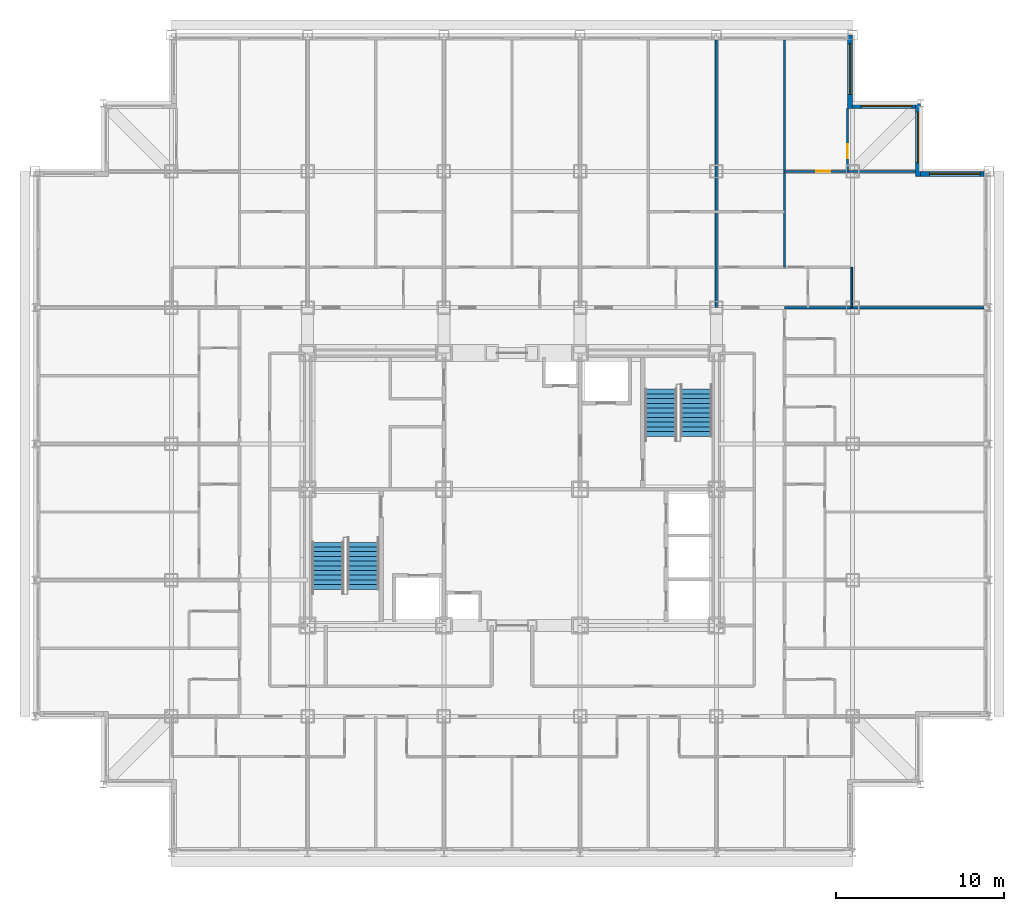
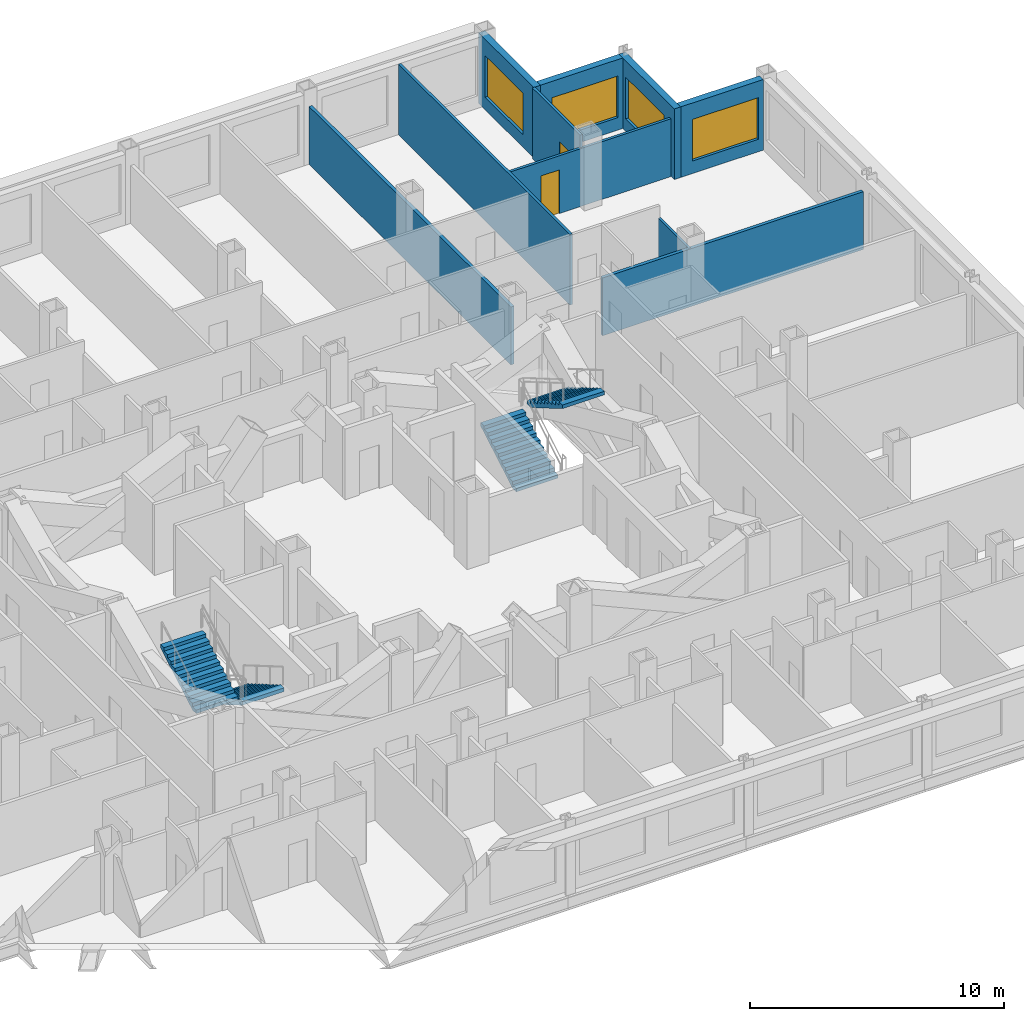
# One storey, part 11 of 12: 10 walls, 4 stair flights, 4 windows, 2 doors, 6 openings, 2 elements without a shape of their own.
"""IFC4 building model written with IfcOpenShell, lengths in metres."""

import ifcopenshell
import ifcopenshell.guid

model = None  # the IFC model being written
_history = None  # IfcOwnerHistory: only IFC2X3 demands one
_inside = {}  # id of a spatial element -> (the spatial element, [elements in it])
_under = {}  # id of a project, library or spatial element -> (it, [spatial elements below it])
_declared = {}  # id of a project -> (the project, [libraries it declares])
_typed = {}  # id of a type object -> (the type object, [elements of that type])
_made_of = {}  # id of a material, layer set ... -> (it, [elements and type objects made of it])


def new_model(schema):
    """Start an empty IFC model of exactly this schema.

    Asked for "IFC4X3", IfcOpenShell would pick the latest addendum, in which some entities
    have other attributes; the version numbers below select the first issue.
    IFC2X3 requires an IfcOwnerHistory on every rooted entity: one is made here for all.
    """
    global model, _history
    if schema == "IFC4X3":
        model = ifcopenshell.file(schema_version=(4, 3, 0, 0))
    else:
        model = ifcopenshell.file(schema=schema)
    _inside.clear()
    _under.clear()
    _declared.clear()
    _typed.clear()
    _made_of.clear()
    _history = None
    if model.schema == "IFC2X3":
        org = make("IfcOrganization", Name="unknown")
        user = make(
            "IfcPersonAndOrganization",
            ThePerson=make("IfcPerson", FamilyName="unknown"),
            TheOrganization=org,
        )
        app = make(
            "IfcApplication",
            ApplicationDeveloper=org,
            Version="unknown",
            ApplicationFullName="unknown",
            ApplicationIdentifier="unknown",
        )
        _history = make(
            "IfcOwnerHistory",
            OwningUser=user,
            OwningApplication=app,
            ChangeAction="ADDED",
            CreationDate=0,
        )
    return model


def make(cls, **values):
    """One entity of the class cls with the attributes given. An attribute that is None is left unset."""
    return model.create_entity(
        cls, **{name: value for name, value in values.items() if value is not None}
    )


def rooted(cls, **values):
    """An entity with a GlobalId (a new one), such as an element, a storey or a relation."""
    return make(cls, GlobalId=ifcopenshell.guid.new(), OwnerHistory=_history, **values)


def si_unit(unit_type, name, prefix=None):
    """IfcSIUnit, for example si_unit("LENGTHUNIT", "METRE", prefix="MILLI")."""
    return make("IfcSIUnit", UnitType=unit_type, Prefix=prefix, Name=name)


def assignment(units):
    """IfcUnitAssignment: the units of a project."""
    return None if units is None else make("IfcUnitAssignment", Units=units)


def point(xyz):
    """IfcCartesianPoint."""
    return None if xyz is None else make("IfcCartesianPoint", Coordinates=xyz)


def direction(xyz):
    """IfcDirection."""
    return None if xyz is None else make("IfcDirection", DirectionRatios=xyz)


def frame(location, z_axis=None, x_axis=None):
    """IfcAxis2Placement3D, a coordinate frame: its origin and axes. An axis left out is left unset."""
    return make(
        "IfcAxis2Placement3D",
        Location=point(location),
        Axis=direction(z_axis),
        RefDirection=direction(x_axis),
    )


def frame_2d(location, x_axis=None):
    """IfcAxis2Placement2D, a coordinate frame in the plane: its origin and x axis."""
    return make(
        "IfcAxis2Placement2D", Location=point(location), RefDirection=direction(x_axis)
    )


def origin():
    """The frame at (0, 0, 0) with its axes left unset."""
    return frame((0.0, 0.0, 0.0))


def place(relative_to, where):
    """IfcLocalPlacement: puts the frame where relative to a parent placement (None: the world)."""
    return make(
        "IfcLocalPlacement", PlacementRelTo=relative_to, RelativePlacement=where
    )


def context(
    kind, dimensions, precision=None, world=None, true_north=None, identifier=None
):
    """IfcGeometricRepresentationContext, for example the 3D "Model" context."""
    return make(
        "IfcGeometricRepresentationContext",
        ContextIdentifier=identifier,
        ContextType=kind,
        CoordinateSpaceDimension=dimensions,
        Precision=precision,
        WorldCoordinateSystem=world,
        TrueNorth=true_north,
    )


def subcontext(parent, identifier, kind, view, scale=None):
    """IfcGeometricRepresentationSubContext, for example "Body" below "Model"."""
    return make(
        "IfcGeometricRepresentationSubContext",
        ContextIdentifier=identifier,
        ContextType=kind,
        ParentContext=parent,
        TargetScale=scale,
        TargetView=view,
    )


def project(units=None, contexts=None):
    """IfcProject with its units and contexts."""
    return rooted(
        "IfcProject",
        Name="project",
        RepresentationContexts=contexts,
        UnitsInContext=assignment(units),
    )


def spatial(cls, under=None, at=None, **own):
    """A site, building, storey or space (cls), placed at a placement, below another one or the project."""
    s = rooted(cls, ObjectPlacement=at, **own)
    if under is not None:
        _under.setdefault(under.id(), (under, []))[1].append(s)
    return s


def point_list(points):
    """IfcCartesianPointList2D or 3D."""
    cls = (
        "IfcCartesianPointList2D" if len(points[0]) == 2 else "IfcCartesianPointList3D"
    )
    return make(cls, CoordList=points)


def profile(cls, at=None, kind="AREA", **sizes):
    """A parametric profile (cls). Its sizes go by their IFC names, for example OverallWidth=200.0."""
    return make(cls, ProfileType=kind, Position=at, **sizes)


def rectangle(**sizes):
    """IfcRectangleProfileDef."""
    return profile("IfcRectangleProfileDef", **sizes)


def extrude(swept, where, along, depth):
    """IfcExtrudedAreaSolid: the profile swept, set in the frame where, extruded along a direction by depth."""
    return make(
        "IfcExtrudedAreaSolid",
        SweptArea=swept,
        Position=where,
        ExtrudedDirection=direction(along),
        Depth=depth,
    )


def polygons(points, faces, closed=None, point_numbers=None):
    """IfcPolygonalFaceSet: a face is its outer loop, then its inner loops; points numbered from 1."""
    made = []
    for loops in faces:
        if len(loops) == 1:
            made.append(make("IfcIndexedPolygonalFace", CoordIndex=loops[0]))
        else:
            made.append(
                make(
                    "IfcIndexedPolygonalFaceWithVoids",
                    CoordIndex=loops[0],
                    InnerCoordIndices=loops[1:],
                )
            )
    return make(
        "IfcPolygonalFaceSet",
        Coordinates=point_list(points),
        Closed=closed,
        Faces=made,
        PnIndex=point_numbers,
    )


def shape(context_of_items, identifier, shape_type, items):
    """IfcShapeRepresentation: the items that make up one representation, for example the "Body"."""
    return make(
        "IfcShapeRepresentation",
        ContextOfItems=context_of_items,
        RepresentationIdentifier=identifier,
        RepresentationType=shape_type,
        Items=items,
    )


def source(mapping_origin, context_of_items, identifier, shape_type, items):
    """IfcRepresentationMap: a shape defined once, which mapped items show again and again."""
    return make(
        "IfcRepresentationMap",
        MappingOrigin=mapping_origin,
        MappedRepresentation=shape(context_of_items, identifier, shape_type, items),
    )


def transform(
    local_origin,
    x_axis=None,
    y_axis=None,
    z_axis=None,
    scale=None,
    scale2=None,
    scale3=None,
    uniform=True,
):
    """IfcCartesianTransformationOperator3D, or its non-uniform kind. x_axis, y_axis, z_axis: its Axis1, 2, 3."""
    if uniform:
        return make(
            "IfcCartesianTransformationOperator3D",
            Axis1=direction(x_axis),
            Axis2=direction(y_axis),
            LocalOrigin=point(local_origin),
            Scale=scale,
            Axis3=direction(z_axis),
        )
    return make(
        "IfcCartesianTransformationOperator3DnonUniform",
        Axis1=direction(x_axis),
        Axis2=direction(y_axis),
        LocalOrigin=point(local_origin),
        Scale=scale,
        Axis3=direction(z_axis),
        Scale2=scale2,
        Scale3=scale3,
    )


def mapped(mapping_source, mapping_target):
    """IfcMappedItem: shows the shape of a source again, moved by a transform."""
    return make(
        "IfcMappedItem", MappingSource=mapping_source, MappingTarget=mapping_target
    )


def material(Name=None, Category=None):
    """IfcMaterial."""
    return make("IfcMaterial", Name=Name, Category=Category)


def layer(
    of_material, thickness, ventilated=None, Name=None, Category=None, Priority=None
):
    """IfcMaterialLayer: one layer of a wall or slab, of a material (None: an air gap)."""
    return make(
        "IfcMaterialLayer",
        Material=of_material,
        LayerThickness=thickness,
        IsVentilated=ventilated,
        Name=Name,
        Category=Category,
        Priority=Priority,
    )


def layer_set(layers, Name=None):
    """IfcMaterialLayerSet."""
    return make("IfcMaterialLayerSet", MaterialLayers=layers, LayerSetName=Name)


def made_of(thing, what):
    """Note that an element or type object is made of a material, layer set ...; save() writes the relation."""
    if what is not None:
        _made_of.setdefault(what.id(), (what, []))[1].append(thing)
    return thing


def type_object(cls, material=None, **own):
    """A type object (cls), such as IfcWallType, which elements share."""
    return made_of(rooted(cls, **own), material)


def element(
    cls,
    number,
    at=None,
    inside=None,
    cuts=None,
    type_object=None,
    material=None,
    context=None,
    identifier="Body",
    shape_type=None,
    held_by="IfcProductDefinitionShape",
    body=None,
    shapes=None,
    **own,
):
    """One element of the class cls, such as IfcWall. Its Tag is "e" and its number.

    at: its placement. inside: the storey or other place that contains it. cuts: it is an
    opening in that element (IfcRelVoidsElement). A single representation is given by context,
    identifier, shape_type and body (its items); several are given by shapes. held_by: the class
    of the entity that holds the representations. save() writes the other relations.
    """
    e = rooted(cls, Tag="e%d" % number, ObjectPlacement=at, **own)
    if body is not None:
        shapes = [shape(context, identifier, shape_type, body)]
    if shapes is not None:
        e.Representation = make(held_by, Representations=shapes)
    if inside is not None:
        _inside.setdefault(inside.id(), (inside, []))[1].append(e)
    if cuts is not None:
        rooted(
            "IfcRelVoidsElement", RelatingBuildingElement=cuts, RelatedOpeningElement=e
        )
    if type_object is not None:
        _typed.setdefault(type_object.id(), (type_object, []))[1].append(e)
    return made_of(e, material)


def fill(opening, filler):
    """IfcRelFillsElement: the door or window that sits in an opening."""
    return rooted(
        "IfcRelFillsElement",
        RelatingOpeningElement=opening,
        RelatedBuildingElement=filler,
    )


def aggregate(whole, parts):
    """IfcRelAggregates: a whole, such as a stair, and the parts it consists of."""
    return rooted("IfcRelAggregates", RelatingObject=whole, RelatedObjects=parts)


def save(model, path):
    """Write the relations noted so far, then the file.

    IfcRelAggregates (storeys below a building ...), IfcRelContainedInSpatialStructure (elements
    in a storey), IfcRelDefinesByType, IfcRelAssociatesMaterial and IfcRelDeclares: one each for
    every whole, place, type object, material and project.
    """
    for whole, parts in _under.values():
        aggregate(whole, parts)
    for where, things in _inside.values():
        rooted(
            "IfcRelContainedInSpatialStructure",
            RelatedElements=things,
            RelatingStructure=where,
        )
    for kind, things in _typed.values():
        rooted("IfcRelDefinesByType", RelatedObjects=things, RelatingType=kind)
    for what, things in _made_of.values():
        rooted("IfcRelAssociatesMaterial", RelatedObjects=things, RelatingMaterial=what)
    for by, libraries in _declared.values():
        rooted("IfcRelDeclares", RelatingContext=by, RelatedDefinitions=libraries)
    model.write(path)


model = new_model("IFC4")

# Units and contexts
model_context = context("Model", 3, precision=1e-05, world=origin(), true_north=direction((0.0, 1.0)))
body_context = subcontext(model_context, "Body", "Model", "MODEL_VIEW")
ifc_project = project(units=[si_unit("LENGTHUNIT", "METRE"), si_unit("AREAUNIT", "SQUARE_METRE"), si_unit("VOLUMEUNIT", "CUBIC_METRE"), si_unit("PLANEANGLEUNIT", "RADIAN"), si_unit("MASSUNIT", "GRAM", prefix="KILO")], contexts=[model_context])

# Site, building, storey
site_placement = place(None, origin())
site = spatial("IfcSite", under=ifc_project, at=site_placement, CompositionType="ELEMENT")
building_placement = place(site_placement, origin())
building = spatial("IfcBuilding", under=site, at=building_placement, Name="Kopane Lantern Tower", CompositionType="ELEMENT")
storey_placement = place(building_placement, frame((0.0, 0.0, 177.60009765625)))
storey = spatial("IfcBuildingStorey", under=building, at=storey_placement, Name="L45", CompositionType="ELEMENT", Elevation=177.60009765625)

# Wall
ifc_material_1 = material(Name="Gypsum board on steel studs", Category="steel")
ifc_layer_1 = layer(ifc_material_1, 0.1201171875)
ifc_layer_set_1 = layer_set([ifc_layer_1], Name="APARTMENT INTERNAL WALL 120")
wall_type_1 = type_object("IfcWallType", Name="APARTMENT INTERNAL WALL 120", PredefinedType="PARTITIONING", material=ifc_layer_set_1)
wall_1_placement = place(storey_placement, frame((44.550048828125, 45.60009765625, 0.0), z_axis=(0.0, 0.0, 1.0), x_axis=(0.0, 1.0, 0.0)))
element("IfcWall", 1, at=wall_1_placement, inside=storey, type_object=wall_type_1, Name="Apartment Internal Wall 120 L45", PredefinedType="PARTITIONING", context=body_context, shape_type="SweptSolid", body=[
    extrude(rectangle(XDim=13.5, YDim=0.1201171875, at=frame_2d((6.75, 0.0))), origin(), (0.0, 0.0, 1.0), 3.389892578125),
])

# Wall, opening, door
wall_2_placement = place(storey_placement, frame((44.550048828125, 51.300048828125, 0.0), z_axis=(0.0, 0.0, 1.0), x_axis=(1.0, 0.0, 0.0)))
wall_2 = element("IfcWall", 2, at=wall_2_placement, inside=storey, type_object=wall_type_1, Name="Apartment Internal Wall 120 L45", PredefinedType="PARTITIONING", context=body_context, shape_type="SweptSolid", body=[
    extrude(rectangle(XDim=7.800048828125, YDim=0.1201171875, at=frame_2d((3.89990234375, 0.0))), origin(), (0.0, 0.0, 1.0), 2.777587890625),
])
opening_1_placement = place(wall_2_placement, frame((1.875, 0.0, 0.0)))
opening_1 = element("IfcOpeningElement", 3, at=opening_1_placement, cuts=wall_2, Name="Opening L45-066", PredefinedType="OPENING", context=body_context, shape_type="SweptSolid", body=[
    extrude(rectangle(XDim=0.85009765625, YDim=2.10009765625, at=frame_2d((0.425048828125, 1.050048828125))), frame((0.0, 0.070068359375, 0.0), z_axis=(0.0, -1.0, 0.0), x_axis=(1.0, 0.0, 0.0)), (0.0, 0.0, 1.0), 0.14013671875),
])
ifc_material_2 = material(Name="Timber door set", Category="wood")
door_type = type_object("IfcDoorType", Name="DOOR D4 850x2100", OperationType="SINGLE_SWING_LEFT", PredefinedType="DOOR", material=ifc_material_2)
door_1_placement = place(opening_1_placement, origin())
door_1 = element("IfcDoor", 4, at=door_1_placement, inside=storey, type_object=door_type, Name="Door L45-066", OperationType="SINGLE_SWING_RIGHT", OverallHeight=2.10009765625, OverallWidth=0.85009765625, PredefinedType="DOOR", context=body_context, shape_type="SweptSolid", body=[
    extrude(rectangle(XDim=0.85009765625, YDim=2.10009765625, at=frame_2d((0.425048828125, 1.050048828125))), frame((0.0, 0.02490234375, 0.0), z_axis=(0.0, -1.0, 0.0), x_axis=(1.0, 0.0, 0.0)), (0.0, 0.0, 1.0), 0.050048828125),
])
fill(opening_1, door_1)

wall_3_placement = place(storey_placement, frame((48.300048828125, 51.300048828125, 0.0), z_axis=(0.0, 0.0, 1.0), x_axis=(0.0, 1.0, 0.0)))
wall_3 = element("IfcWall", 5, at=wall_3_placement, inside=storey, type_object=wall_type_1, Name="Apartment Internal Wall 120 L45", PredefinedType="PARTITIONING", context=body_context, shape_type="SweptSolid", body=[
    extrude(rectangle(XDim=3.75, YDim=0.1201171875, at=frame_2d((1.875, 0.0))), origin(), (0.0, 0.0, 1.0), 3.389892578125),
])
opening_2_placement = place(wall_3_placement, frame((0.77490234375, 0.0, 0.0)))
opening_2 = element("IfcOpeningElement", 6, at=opening_2_placement, cuts=wall_3, Name="Opening L45-072", PredefinedType="OPENING", context=body_context, shape_type="SweptSolid", body=[
    extrude(rectangle(XDim=0.85009765625, YDim=2.10009765625, at=frame_2d((0.425048828125, 1.050048828125))), frame((0.0, 0.070068359375, 0.0), z_axis=(0.0, -1.0, 0.0), x_axis=(1.0, 0.0, 0.0)), (0.0, 0.0, 1.0), 0.14013671875),
])
door_2_placement = place(opening_2_placement, origin())
door_2 = element("IfcDoor", 7, at=door_2_placement, inside=storey, type_object=door_type, Name="Door L45-072", OperationType="SINGLE_SWING_RIGHT", OverallHeight=2.10009765625, OverallWidth=0.85009765625, PredefinedType="DOOR", context=body_context, shape_type="SweptSolid", body=[
    extrude(rectangle(XDim=0.85009765625, YDim=2.10009765625, at=frame_2d((0.425048828125, 1.050048828125))), frame((0.0, 0.02490234375, 0.0), z_axis=(0.0, -1.0, 0.0), x_axis=(1.0, 0.0, 0.0)), (0.0, 0.0, 1.0), 0.050048828125),
])
fill(opening_2, door_2)

# Walls
ifc_material_3 = material(Name="Moisture-resistant board on steel studs", Category="steel")
ifc_layer_2 = layer(ifc_material_3, 0.10009765625)
ifc_layer_set_2 = layer_set([ifc_layer_2], Name="BATHROOM WALL 100")
wall_type_2 = type_object("IfcWallType", Name="BATHROOM WALL 100", PredefinedType="PARTITIONING", material=ifc_layer_set_2)
wall_4_placement = place(storey_placement, frame((48.550048828125, 43.199951171875, 0.0), z_axis=(0.0, 0.0, 1.0), x_axis=(0.0, 1.0, 0.0)))
element("IfcWall", 8, at=wall_4_placement, inside=storey, type_object=wall_type_2, Name="Bathroom Wall 100 L45", PredefinedType="PARTITIONING", context=body_context, shape_type="SweptSolid", body=[
    extrude(rectangle(XDim=2.400146484375, YDim=0.10009765625, at=frame_2d((1.2001953125, 0.0))), origin(), (0.0, 0.0, 1.0), 2.777587890625),
])
ifc_material_4 = material(Name="Gypsum board on steel studs", Category="steel")
ifc_layer_3 = layer(ifc_material_4, 0.14990234375)
ifc_layer_set_3 = layer_set([ifc_layer_3], Name="DEMISING WALL 150 EI 60")
wall_type_3 = type_object("IfcWallType", Name="DEMISING WALL 150 EI 60", PredefinedType="PARTITIONING", material=ifc_layer_set_3)
wall_5_placement = place(storey_placement, frame((44.550048828125, 43.199951171875, 0.0), z_axis=(0.0, 0.0, 1.0), x_axis=(1.0, 0.0, 0.0)))
element("IfcWall", 9, at=wall_5_placement, inside=storey, type_object=wall_type_3, Name="Demising Wall 150 Ei 60 L45", PredefinedType="PARTITIONING", context=body_context, shape_type="SweptSolid", body=[
    extrude(rectangle(XDim=11.849853515625, YDim=0.14990234375, at=frame_2d((5.9248046875, 0.0))), origin(), (0.0, 0.0, 1.0), 2.777587890625),
])
wall_6_placement = place(storey_placement, frame((40.5, 43.199951171875, 0.0), z_axis=(0.0, 0.0, 1.0), x_axis=(0.0, 1.0, 0.0)))
element("IfcWall", 10, at=wall_6_placement, inside=storey, type_object=wall_type_3, Name="Demising Wall 150 Ei 60 L45", PredefinedType="PARTITIONING", context=body_context, shape_type="SweptSolid", body=[
    extrude(rectangle(XDim=15.900146484375, YDim=0.14990234375, at=frame_2d((7.9501953125, 0.0))), origin(), (0.0, 0.0, 1.0), 2.777587890625),
])

# Wall, opening, window
ifc_material_5 = material(Name="Terracotta rainscreen on light steel framing", Category="masonry")
ifc_layer_4 = layer(ifc_material_5, 0.300048828125)
ifc_layer_set_4 = layer_set([ifc_layer_4], Name="EXTERNAL WALL EW1 300 TERRACOTTA")
wall_type_4 = type_object("IfcWallType", Name="EXTERNAL WALL EW1 300 TERRACOTTA", PredefinedType="SOLIDWALL", material=ifc_layer_set_4)
wall_7_placement = place(storey_placement, frame((56.39990234375, 51.14990234375, 0.0), z_axis=(0.0, 0.0, 1.0), x_axis=(-1.0, 0.0, 0.0)))
wall_7 = element("IfcWall", 11, at=wall_7_placement, inside=storey, type_object=wall_type_4, Name="External wall N L45", PredefinedType="SOLIDWALL", context=body_context, shape_type="SweptSolid", body=[
    extrude(rectangle(XDim=3.75, YDim=0.300048828125, at=frame_2d((1.875, 0.0))), origin(), (0.0, 0.0, 1.0), 3.389892578125),
])
opening_3_placement = place(wall_7_placement, frame((0.22509765625, 0.0, 0.60009765625)))
opening_3 = element("IfcOpeningElement", 12, at=opening_3_placement, cuts=wall_7, Name="Opening WR300200", PredefinedType="OPENING", context=body_context, shape_type="SweptSolid", body=[
    extrude(rectangle(XDim=3.0, YDim=2.0, at=frame_2d((1.5, 1.0))), frame((0.0, 0.159912109375, 0.0), z_axis=(0.0, -1.0, 0.0), x_axis=(1.0, 0.0, 0.0)), (0.0, 0.0, 1.0), 0.320068359375),
])
ifc_material_6 = material(Name="Aluminium and clear glass", Category="aluminium")
window_type = type_object("IfcWindowType", Name="RIBBON WINDOW WR300200 3000x2000", PartitioningType="SINGLE_PANEL", PredefinedType="WINDOW", material=ifc_material_6)
window_1_placement = place(opening_3_placement, origin())
window_1 = element("IfcWindow", 13, at=window_1_placement, inside=storey, type_object=window_type, Name="Window N L45", OverallHeight=2.0, OverallWidth=3.0, PartitioningType="SINGLE_PANEL", PredefinedType="WINDOW", context=body_context, shape_type="SweptSolid", body=[
    extrude(rectangle(XDim=3.0, YDim=2.0, at=frame_2d((1.5, 1.0))), frame((0.0, 0.030029296875, 0.0), z_axis=(0.0, -1.0, 0.0), x_axis=(1.0, 0.0, 0.0)), (0.0, 0.0, 1.0), 0.06005859375),
])
fill(opening_3, window_1)

wall_8_placement = place(storey_placement, frame((52.5, 51.0, 0.0), z_axis=(0.0, 0.0, 1.0), x_axis=(0.0, 1.0, 0.0)))
wall_8 = element("IfcWall", 14, at=wall_8_placement, inside=storey, type_object=wall_type_4, Name="External wall E L45", PredefinedType="SOLIDWALL", context=body_context, shape_type="SweptSolid", body=[
    extrude(rectangle(XDim=4.35009765625, YDim=0.300048828125, at=frame_2d((2.175048828125, 0.0))), origin(), (0.0, 0.0, 1.0), 3.389892578125),
])
opening_4_placement = place(wall_8_placement, frame((0.824951171875, 0.0, 0.60009765625)))
opening_4 = element("IfcOpeningElement", 15, at=opening_4_placement, cuts=wall_8, Name="Opening WR300200", PredefinedType="OPENING", context=body_context, shape_type="SweptSolid", body=[
    extrude(rectangle(XDim=3.0, YDim=2.0, at=frame_2d((1.5, 1.0))), frame((0.0, 0.159912109375, 0.0), z_axis=(0.0, -1.0, 0.0), x_axis=(1.0, 0.0, 0.0)), (0.0, 0.0, 1.0), 0.320068359375),
])
window_2_placement = place(opening_4_placement, origin())
window_2 = element("IfcWindow", 16, at=window_2_placement, inside=storey, type_object=window_type, Name="Window E L45", OverallHeight=2.0, OverallWidth=3.0, PartitioningType="SINGLE_PANEL", PredefinedType="WINDOW", context=body_context, shape_type="SweptSolid", body=[
    extrude(rectangle(XDim=3.0, YDim=2.0, at=frame_2d((1.5, 1.0))), frame((0.0, 0.030029296875, 0.0), z_axis=(0.0, -1.0, 0.0), x_axis=(1.0, 0.0, 0.0)), (0.0, 0.0, 1.0), 0.06005859375),
])
fill(opening_4, window_2)

wall_9_placement = place(storey_placement, frame((52.35009765625, 55.199951171875, 0.0), z_axis=(0.0, 0.0, 1.0), x_axis=(-1.0, 0.0, 0.0)))
wall_9 = element("IfcWall", 17, at=wall_9_placement, inside=storey, type_object=wall_type_4, Name="External wall N L45", PredefinedType="SOLIDWALL", context=body_context, shape_type="SweptSolid", body=[
    extrude(rectangle(XDim=3.75, YDim=0.300048828125, at=frame_2d((1.875, 0.0))), origin(), (0.0, 0.0, 1.0), 3.389892578125),
])
opening_5_placement = place(wall_9_placement, frame((0.22509765625, 0.0, 0.60009765625)))
opening_5 = element("IfcOpeningElement", 18, at=opening_5_placement, cuts=wall_9, Name="Opening WR300200", PredefinedType="OPENING", context=body_context, shape_type="SweptSolid", body=[
    extrude(rectangle(XDim=3.0, YDim=2.0, at=frame_2d((1.5, 1.0))), frame((0.0, 0.159912109375, 0.0), z_axis=(0.0, -1.0, 0.0), x_axis=(1.0, 0.0, 0.0)), (0.0, 0.0, 1.0), 0.320068359375),
])
window_3_placement = place(opening_5_placement, origin())
window_3 = element("IfcWindow", 19, at=window_3_placement, inside=storey, type_object=window_type, Name="Window N L45", OverallHeight=2.0, OverallWidth=3.0, PartitioningType="SINGLE_PANEL", PredefinedType="WINDOW", context=body_context, shape_type="SweptSolid", body=[
    extrude(rectangle(XDim=3.0, YDim=2.0, at=frame_2d((1.5, 1.0))), frame((0.0, 0.030029296875, 0.0), z_axis=(0.0, -1.0, 0.0), x_axis=(1.0, 0.0, 0.0)), (0.0, 0.0, 1.0), 0.06005859375),
])
fill(opening_5, window_3)

wall_10_placement = place(storey_placement, frame((48.449951171875, 55.050048828125, 0.0), z_axis=(0.0, 0.0, 1.0), x_axis=(0.0, 1.0, 0.0)))
wall_10 = element("IfcWall", 20, at=wall_10_placement, inside=storey, type_object=wall_type_4, Name="External wall E L45", PredefinedType="SOLIDWALL", context=body_context, shape_type="SweptSolid", body=[
    extrude(rectangle(XDim=4.349853515625, YDim=0.300048828125, at=frame_2d((2.1748046875, 0.0))), origin(), (0.0, 0.0, 1.0), 3.389892578125),
])
opening_6_placement = place(wall_10_placement, frame((0.824951171875, 0.0, 0.60009765625)))
opening_6 = element("IfcOpeningElement", 21, at=opening_6_placement, cuts=wall_10, Name="Opening WR300200", PredefinedType="OPENING", context=body_context, shape_type="SweptSolid", body=[
    extrude(rectangle(XDim=3.0, YDim=2.0, at=frame_2d((1.5, 1.0))), frame((0.0, 0.159912109375, 0.0), z_axis=(0.0, -1.0, 0.0), x_axis=(1.0, 0.0, 0.0)), (0.0, 0.0, 1.0), 0.320068359375),
])
window_4_placement = place(opening_6_placement, origin())
window_4 = element("IfcWindow", 22, at=window_4_placement, inside=storey, type_object=window_type, Name="Window E L45", OverallHeight=2.0, OverallWidth=3.0, PartitioningType="SINGLE_PANEL", PredefinedType="WINDOW", context=body_context, shape_type="SweptSolid", body=[
    extrude(rectangle(XDim=3.0, YDim=2.0, at=frame_2d((1.5, 1.0))), frame((0.0, 0.030029296875, 0.0), z_axis=(0.0, -1.0, 0.0), x_axis=(1.0, 0.0, 0.0)), (0.0, 0.0, 1.0), 0.06005859375),
])
fill(opening_6, window_4)

# Stair, stair flights
ifc_material_7 = material(Name="Steel S355JR", Category="steel")
stair_type = type_object("IfcStairType", Name="EXIT STAIR 1900 HALF TURN", PredefinedType="HALF_TURN_STAIR", material=ifc_material_7)
stair_1_placement = place(storey_placement, origin())
stair_1 = element("IfcStair", 23, at=stair_1_placement, inside=storey, type_object=stair_type, Name="Exit stair ST1 L45", PredefinedType="HALF_TURN_STAIR")
ifc_material_8 = material(Name="Steel S355JR", Category="steel")
stair_flight_type = type_object("IfcStairFlightType", Name="STAIR FLIGHT 1900 STEEL", PredefinedType="STRAIGHT", material=ifc_material_8)
shared_shape = source(origin(), body_context, "Body", "Tessellation", [
    polygons([(2.800048828, 0.949951172, 1.636474609), (2.520019531, 0.949951172, 1.636474609), (2.520019531, -0.949951172, 1.636474609), (2.800048828, -0.949951172, 1.636474609), (0.297119141, 0.949951172, 0.0), (2.800048828, 0.949951172, 1.462646484), (2.800048828, -0.949951172, 1.462646484), (0.297119141, -0.949951172, 0.0), (0.0, 0.949951172, 0.0), (0.0, -0.949951172, 0.0), (0.280029297, 0.949951172, 0.163574219), (0.0, 0.949951172, 0.163574219), (0.0, -0.949951172, 0.163574219), (0.280029297, -0.949951172, 0.163574219), (0.280029297, 0.949951172, 0.327392578), (0.280029297, -0.949951172, 0.327392578), (0.560058594, 0.949951172, 0.327392578), (0.560058594, -0.949951172, 0.327392578), (0.560058594, 0.949951172, 0.490966797), (0.560058594, -0.949951172, 0.490966797), (0.840087891, 0.949951172, 0.490966797), (0.840087891, -0.949951172, 0.490966797), (0.840087891, 0.949951172, 0.654541016), (0.840087891, -0.949951172, 0.654541016), (1.120117188, 0.949951172, 0.654541016), (1.120117188, -0.949951172, 0.654541016), (1.120117188, 0.949951172, 0.818115234), (1.120117188, -0.949951172, 0.818115234), (1.399902344, 0.949951172, 0.818115234), (1.399902344, -0.949951172, 0.818115234), (1.399902344, 0.949951172, 0.981933594), (1.399902344, -0.949951172, 0.981933594), (1.679931641, 0.949951172, 0.981933594), (1.679931641, -0.949951172, 0.981933594), (1.679931641, 0.949951172, 1.145507812), (1.679931641, -0.949951172, 1.145507812), (1.959960938, 0.949951172, 1.145507812), (1.959960938, -0.949951172, 1.145507812), (1.959960938, 0.949951172, 1.309082031), (1.959960938, -0.949951172, 1.309082031), (2.239990234, 0.949951172, 1.309082031), (2.239990234, -0.949951172, 1.309082031), (2.239990234, 0.949951172, 1.47265625), (2.239990234, -0.949951172, 1.47265625), (2.520019531, 0.949951172, 1.47265625), (2.520019531, -0.949951172, 1.47265625), (0.0, 0.0, 0.004420925), (0.0, 0.0, 0.00884185), (0.0, 0.0, 0.013262774), (0.0, 0.0, 0.017683699), (0.0, 0.0, 0.022104624), (0.0, 0.0, 0.026525549), (0.0, 0.0, 0.030946474), (0.0, 0.0, 0.035367399), (0.0, 0.0, 0.039788323), (0.0, 0.0, 0.044209248), (0.0, 0.0, 0.048630173), (0.0, 0.0, 0.053051098), (0.0, 0.0, 0.057472023), (0.0, 0.0, 0.061892948), (0.0, 0.0, 0.066313872), (0.0, 0.0, 0.070734797), (0.0, 0.0, 0.075155722), (0.0, 0.0, 0.079576647), (0.0, 0.0, 0.083997572), (0.0, 0.0, 0.088418497), (0.0, 0.0, 0.092839421), (0.0, 0.0, 0.097260346), (0.0, 0.0, 0.101681271), (0.0, 0.0, 0.106102196), (0.0, 0.0, 0.110523121), (0.0, 0.0, 0.114944046), (0.0, 0.0, 0.11936497), (0.0, 0.0, 0.123785895), (0.0, 0.0, 0.12820682), (0.0, 0.0, 0.132627745), (0.0, 0.0, 0.13704867), (0.0, 0.0, 0.141469595), (0.0, 0.0, 0.145890519), (0.0, 0.0, 0.150311444), (0.0, 0.0, 0.154732369), (0.0, 0.0, 0.159153294), (2.800048828, 0.0, 1.467344542), (2.800048828, 0.0, 1.472042599), (2.800048828, 0.0, 1.476740657), (2.800048828, 0.0, 1.481438714), (2.800048828, 0.0, 1.486136772), (2.800048828, 0.0, 1.490834829), (2.800048828, 0.0, 1.495532886), (2.800048828, 0.0, 1.500230944), (2.800048828, 0.0, 1.504929001), (2.800048828, 0.0, 1.509627059), (2.800048828, 0.0, 1.514325116), (2.800048828, 0.0, 1.519023174), (2.800048828, 0.0, 1.523721231), (2.800048828, 0.0, 1.528419288), (2.800048828, 0.0, 1.533117346), (2.800048828, 0.0, 1.537815403), (2.800048828, 0.0, 1.542513461), (2.800048828, 0.0, 1.547211518), (2.800048828, 0.0, 1.551909576), (2.800048828, 0.0, 1.556607633), (2.800048828, 0.0, 1.56130569), (2.800048828, 0.0, 1.566003748), (2.800048828, 0.0, 1.570701805), (2.800048828, 0.0, 1.575399863), (2.800048828, 0.0, 1.58009792), (2.800048828, 0.0, 1.584795978), (2.800048828, 0.0, 1.589494035), (2.800048828, 0.0, 1.594192092), (2.800048828, 0.0, 1.59889015), (2.800048828, 0.0, 1.603588207), (2.800048828, 0.0, 1.608286265), (2.800048828, 0.0, 1.612984322), (2.800048828, 0.0, 1.61768238), (2.800048828, 0.0, 1.622380437), (2.800048828, 0.0, 1.627078495), (2.800048828, 0.0, 1.631776552)], [[[1, 2, 3]], [[1, 3, 4]], [[5, 6, 7]], [[5, 7, 8]], [[9, 5, 8]], [[9, 8, 10]], [[11, 12, 13]], [[11, 13, 14]], [[15, 11, 14]], [[15, 14, 16]], [[17, 15, 16]], [[17, 16, 18]], [[19, 17, 18]], [[19, 18, 20]], [[21, 19, 20]], [[21, 20, 22]], [[23, 21, 22]], [[23, 22, 24]], [[25, 23, 24]], [[25, 24, 26]], [[27, 25, 26]], [[27, 26, 28]], [[29, 27, 28]], [[29, 28, 30]], [[31, 29, 30]], [[31, 30, 32]], [[33, 31, 32]], [[33, 32, 34]], [[35, 33, 34]], [[35, 34, 36]], [[37, 35, 36]], [[37, 36, 38]], [[39, 37, 38]], [[39, 38, 40]], [[41, 39, 40]], [[41, 40, 42]], [[43, 41, 42]], [[43, 42, 44]], [[45, 43, 44]], [[45, 44, 46]], [[2, 45, 46]], [[2, 46, 3]], [[45, 1, 6]], [[41, 45, 6]], [[2, 1, 45]], [[37, 41, 6]], [[43, 45, 41]], [[39, 41, 37]], [[35, 37, 33]], [[31, 33, 29]], [[27, 29, 25]], [[5, 21, 25]], [[17, 21, 5]], [[23, 25, 21]], [[11, 17, 5]], [[19, 21, 17]], [[9, 11, 5]], [[15, 17, 11]], [[12, 11, 9]], [[6, 5, 25]], [[6, 25, 29]], [[6, 29, 33]], [[6, 33, 37]], [[7, 4, 46]], [[7, 46, 42]], [[46, 4, 3]], [[7, 42, 38]], [[42, 46, 44]], [[38, 42, 40]], [[34, 38, 36]], [[30, 34, 32]], [[26, 30, 28]], [[26, 22, 8]], [[8, 22, 18]], [[22, 26, 24]], [[8, 18, 14]], [[18, 22, 20]], [[8, 14, 10]], [[14, 18, 16]], [[10, 14, 13]], [[26, 8, 7]], [[30, 26, 7]], [[34, 30, 7]], [[38, 34, 7]], [[10, 47, 9]], [[10, 48, 47]], [[9, 47, 48]], [[10, 49, 48]], [[9, 48, 49]], [[10, 50, 49]], [[9, 49, 50]], [[10, 51, 50]], [[9, 50, 51]], [[10, 52, 51]], [[9, 51, 52]], [[10, 53, 52]], [[9, 52, 53]], [[10, 54, 53]], [[9, 53, 54]], [[10, 55, 54]], [[9, 54, 55]], [[10, 56, 55]], [[9, 55, 56]], [[10, 57, 56]], [[9, 56, 57]], [[10, 58, 57]], [[9, 57, 58]], [[10, 59, 58]], [[9, 58, 59]], [[10, 60, 59]], [[9, 59, 60]], [[10, 61, 60]], [[9, 60, 61]], [[10, 62, 61]], [[9, 61, 62]], [[10, 63, 62]], [[9, 62, 63]], [[10, 64, 63]], [[9, 63, 64]], [[10, 65, 64]], [[9, 64, 65]], [[10, 66, 65]], [[9, 65, 66]], [[10, 67, 66]], [[9, 66, 67]], [[10, 68, 67]], [[9, 67, 68]], [[10, 69, 68]], [[9, 68, 69]], [[10, 70, 69]], [[9, 69, 70]], [[10, 71, 70]], [[9, 70, 71]], [[10, 72, 71]], [[9, 71, 72]], [[10, 73, 72]], [[9, 72, 73]], [[10, 74, 73]], [[9, 73, 74]], [[10, 75, 74]], [[9, 74, 75]], [[10, 76, 75]], [[9, 75, 76]], [[10, 77, 76]], [[9, 76, 77]], [[10, 78, 77]], [[9, 77, 78]], [[10, 79, 78]], [[9, 78, 79]], [[10, 80, 79]], [[9, 79, 80]], [[10, 81, 80]], [[9, 80, 81]], [[10, 82, 81]], [[9, 81, 82]], [[10, 13, 82]], [[82, 13, 12]], [[9, 82, 12]], [[7, 6, 83]], [[7, 83, 84]], [[6, 84, 83]], [[7, 84, 85]], [[6, 85, 84]], [[7, 85, 86]], [[6, 86, 85]], [[7, 86, 87]], [[6, 87, 86]], [[7, 87, 88]], [[6, 88, 87]], [[7, 88, 89]], [[6, 89, 88]], [[7, 89, 90]], [[6, 90, 89]], [[7, 90, 91]], [[6, 91, 90]], [[7, 91, 92]], [[6, 92, 91]], [[7, 92, 93]], [[6, 93, 92]], [[7, 93, 94]], [[6, 94, 93]], [[7, 94, 95]], [[6, 95, 94]], [[7, 95, 96]], [[6, 96, 95]], [[7, 96, 97]], [[6, 97, 96]], [[7, 97, 98]], [[6, 98, 97]], [[7, 98, 99]], [[6, 99, 98]], [[7, 99, 100]], [[6, 100, 99]], [[7, 100, 101]], [[6, 101, 100]], [[7, 101, 102]], [[6, 102, 101]], [[7, 102, 103]], [[6, 103, 102]], [[7, 103, 104]], [[6, 104, 103]], [[7, 104, 105]], [[6, 105, 104]], [[7, 105, 106]], [[6, 106, 105]], [[7, 106, 107]], [[6, 107, 106]], [[7, 107, 108]], [[6, 108, 107]], [[7, 108, 109]], [[6, 109, 108]], [[7, 109, 110]], [[6, 110, 109]], [[7, 110, 111]], [[6, 111, 110]], [[7, 111, 112]], [[6, 112, 111]], [[7, 112, 113]], [[6, 113, 112]], [[7, 113, 114]], [[6, 114, 113]], [[7, 114, 115]], [[6, 115, 114]], [[7, 115, 116]], [[6, 116, 115]], [[7, 116, 117]], [[6, 117, 116]], [[7, 117, 118]], [[6, 118, 117]], [[7, 118, 4]], [[118, 1, 4]], [[6, 1, 118]]], closed=True),
])
stair_flight_1_placement = place(storey_placement, frame((19.5, 29.25, 0.0), z_axis=(0.0, 0.0, 1.0), x_axis=(0.0, -1.0, 0.0)))
stair_flight_1 = element("IfcStairFlight", 24, at=stair_flight_1_placement, type_object=stair_flight_type, Name="ST1 flight 1", NumberOfRisers=11, NumberOfTreads=10, PredefinedType="STRAIGHT", RiserHeight=0.163636364, TreadLength=0.28, context=body_context, shape_type="MappedRepresentation", body=[
    mapped(shared_shape, transform((0.0, 0.0, 0.0))),
])
stair_flight_2_placement = place(storey_placement, frame((17.39990234375, 26.449951171875, 1.7998046875), z_axis=(0.0, 0.0, 1.0), x_axis=(0.0, 1.0, 0.0)))
stair_flight_2 = element("IfcStairFlight", 25, at=stair_flight_2_placement, type_object=stair_flight_type, Name="ST1 flight 2", NumberOfRisers=11, NumberOfTreads=10, PredefinedType="STRAIGHT", RiserHeight=0.163636364, TreadLength=0.28, context=body_context, shape_type="MappedRepresentation", body=[
    mapped(shared_shape, transform((0.0, 0.0, 0.0))),
])
aggregate(stair_1, [stair_flight_1, stair_flight_2])

stair_2_placement = place(storey_placement, origin())
stair_2 = element("IfcStair", 26, at=stair_2_placement, inside=storey, type_object=stair_type, Name="Exit stair ST2 L45", PredefinedType="HALF_TURN_STAIR")
stair_flight_3_placement = place(storey_placement, frame((37.199951171875, 35.550048828125, 0.0), z_axis=(0.0, 0.0, 1.0), x_axis=(0.0, 1.0, 0.0)))
stair_flight_3 = element("IfcStairFlight", 27, at=stair_flight_3_placement, type_object=stair_flight_type, Name="ST2 flight 1", NumberOfRisers=11, NumberOfTreads=10, PredefinedType="STRAIGHT", RiserHeight=0.163636364, TreadLength=0.28, context=body_context, shape_type="MappedRepresentation", body=[
    mapped(shared_shape, transform((0.0, 0.0, 0.0))),
])
stair_flight_4_placement = place(storey_placement, frame((39.300048828125, 38.35009765625, 1.7998046875), z_axis=(0.0, 0.0, 1.0), x_axis=(0.0, -1.0, 0.0)))
stair_flight_4 = element("IfcStairFlight", 28, at=stair_flight_4_placement, type_object=stair_flight_type, Name="ST2 flight 2", NumberOfRisers=11, NumberOfTreads=10, PredefinedType="STRAIGHT", RiserHeight=0.163636364, TreadLength=0.28, context=body_context, shape_type="MappedRepresentation", body=[
    mapped(shared_shape, transform((0.0, 0.0, 0.0))),
])
aggregate(stair_2, [stair_flight_3, stair_flight_4])

save(model, "model.ifc")
